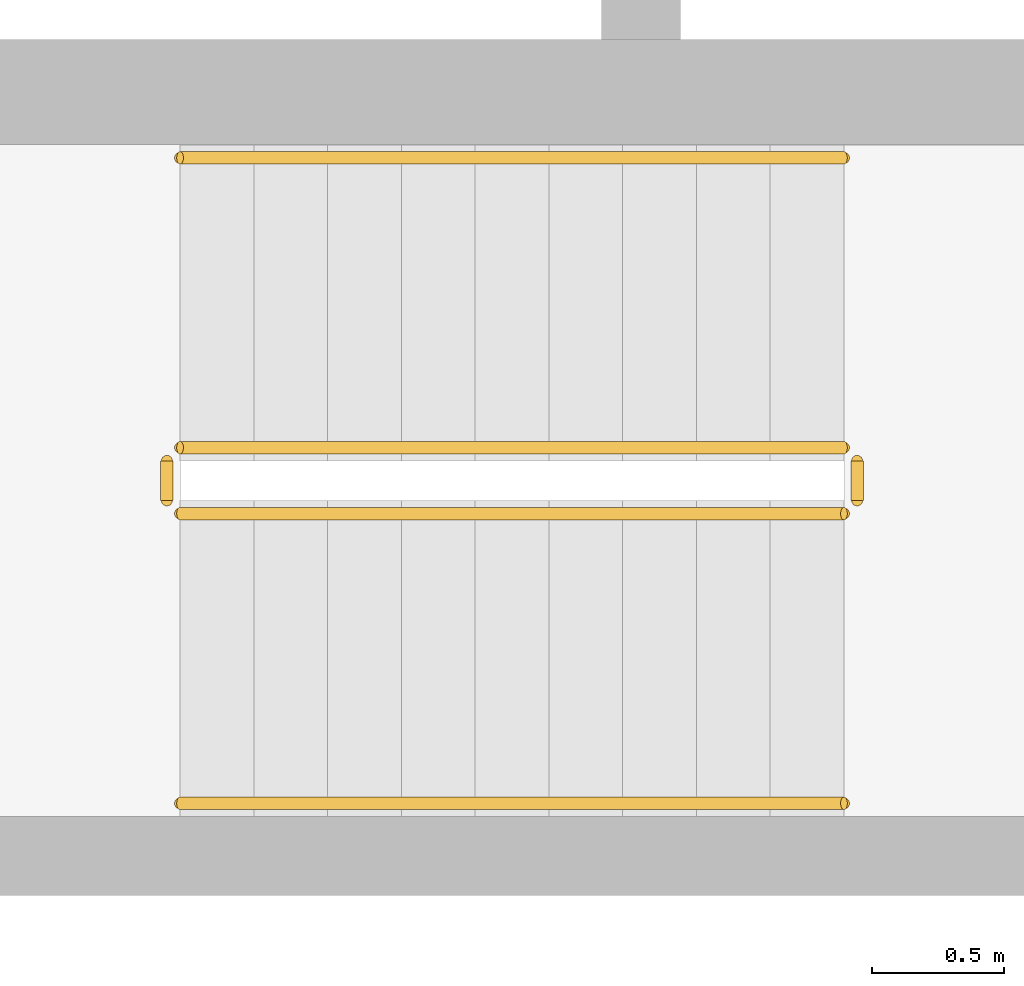
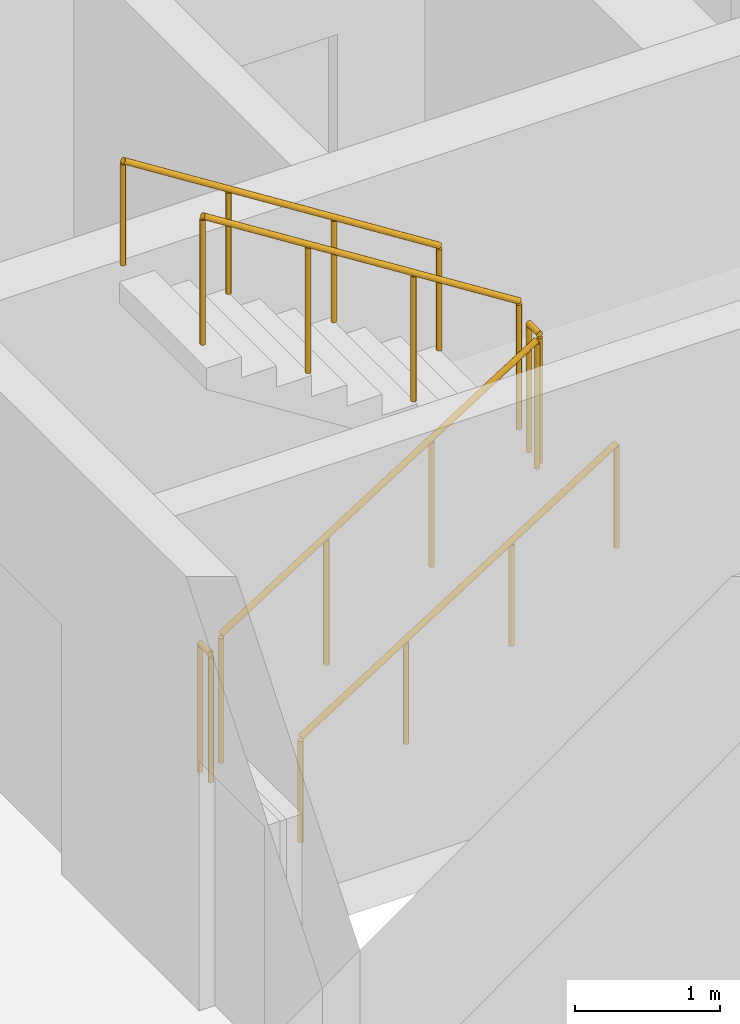
# One storey, part 14 of 16: 6 railings.
"""IFC4 building model written with IfcOpenShell, lengths in metres."""

from ifc_helpers import new_model, si_unit, direction, frame, origin, origin_2d, place, context, subcontext, project, spatial, circle, extrude, material, type_object, element, save


model = new_model("IFC4")

# Units and contexts
model_context = context("Model", 3, precision=1e-05, world=origin(), true_north=direction((0.0, 1.0)))
body_context = subcontext(model_context, "Body", "Model", "MODEL_VIEW")
ifc_project = project(units=[si_unit("LENGTHUNIT", "METRE"), si_unit("AREAUNIT", "SQUARE_METRE"), si_unit("VOLUMEUNIT", "CUBIC_METRE"), si_unit("PLANEANGLEUNIT", "RADIAN"), si_unit("MASSUNIT", "GRAM", prefix="KILO")], contexts=[model_context])

# Site, building, storey
site_placement = place(None, origin())
site = spatial("IfcSite", under=ifc_project, at=site_placement, CompositionType="ELEMENT")
building_placement = place(site_placement, origin())
building = spatial("IfcBuilding", under=site, at=building_placement, Name="Ostrand Prow Hotel Tower", CompositionType="ELEMENT")
storey_placement = place(building_placement, frame((0.0, 0.0, 227.89990234375)))
storey = spatial("IfcBuildingStorey", under=building, at=storey_placement, Name="L57", CompositionType="ELEMENT", Elevation=227.89990234375)

# Railings
ifc_material_1 = material(Name="Painted steel", Category="steel")
railing_type_1 = type_object("IfcRailingType", Name="Stair guard 1100", PredefinedType="GUARDRAIL", material=ifc_material_1)
railing_1_placement = place(storey_placement, frame((57.199951171875, -11.75, 0.177490234375)))
element("IfcRailing", 1, at=railing_1_placement, inside=storey, type_object=railing_type_1, Name="L57 ST2C stair guard 1", PredefinedType="GUARDRAIL", context=body_context, shape_type="SweptSolid", body=[
    extrude(circle(Radius=0.02392578125, at=origin_2d()), frame((0.0, 0.0, 1.076171875), z_axis=(0.84456994832, 0.0, 0.535445237532), x_axis=(0.0, 1.0, 0.0)), (0.0, 0.0, 1.0), 2.98388671875),
    extrude(circle(Radius=0.02099609375, at=origin_2d()), origin(), (0.0, 0.0, 1.0), 1.052001953125),
    extrude(circle(Radius=0.02099609375, at=origin_2d()), frame((0.840087890625, 0.0, 0.532470703125)), (0.0, 0.0, 1.0), 1.052001953125),
    extrude(circle(Radius=0.02099609375, at=origin_2d()), frame((1.679931640625, 0.0, 1.065185546875)), (0.0, 0.0, 1.0), 1.052001953125),
    extrude(circle(Radius=0.02099609375, at=origin_2d()), frame((2.52001953125, 0.0, 1.59765625)), (0.0, 0.0, 1.0), 1.052001953125),
])
railing_2_placement = place(storey_placement, frame((59.77001953125, -11.699951171875, 1.775146484375)))
element("IfcRailing", 2, at=railing_2_placement, inside=storey, type_object=railing_type_1, Name="L57 ST2C stair guard 2", PredefinedType="GUARDRAIL", context=body_context, shape_type="SweptSolid", body=[
    extrude(circle(Radius=0.02392578125, at=origin_2d()), frame((0.0, 0.0, 1.076171875), z_axis=(0.0, 1.0, 0.0), x_axis=(-1.0, 0.0, 0.0)), (0.0, 0.0, 1.0), 0.14990234375),
    extrude(circle(Radius=0.02099609375, at=origin_2d()), origin(), (0.0, 0.0, 1.0), 1.052001953125),
    extrude(circle(Radius=0.02099609375, at=origin_2d()), frame((0.0, 0.14990234375, 0.0)), (0.0, 0.0, 1.0), 1.052001953125),
])
railing_3_placement = place(storey_placement, frame((59.719970703125, -11.5, 1.95263671875)))
element("IfcRailing", 3, at=railing_3_placement, inside=storey, type_object=railing_type_1, Name="L57 ST2C stair guard 3", PredefinedType="GUARDRAIL", context=body_context, shape_type="SweptSolid", body=[
    extrude(circle(Radius=0.02392578125, at=origin_2d()), frame((0.0, 0.0, 1.076171875), z_axis=(-0.84460694969, 0.0, 0.535386869969), x_axis=(0.0, -1.0, 0.0)), (0.0, 0.0, 1.0), 2.983642578125),
    extrude(circle(Radius=0.02099609375, at=origin_2d()), origin(), (0.0, 0.0, 1.0), 1.052001953125),
    extrude(circle(Radius=0.02099609375, at=origin_2d()), frame((-0.840087890625, 0.0, 0.532470703125)), (0.0, 0.0, 1.0), 1.052001953125),
    extrude(circle(Radius=0.02099609375, at=origin_2d()), frame((-1.679931640625, 0.0, 1.06494140625)), (0.0, 0.0, 1.0), 1.052001953125),
    extrude(circle(Radius=0.02099609375, at=origin_2d()), frame((-2.52001953125, 0.0, 1.597412109375)), (0.0, 0.0, 1.0), 1.052001953125),
])
railing_4_placement = place(storey_placement, frame((57.14990234375, -11.699951171875, 0.0)))
element("IfcRailing", 4, at=railing_4_placement, inside=storey, type_object=railing_type_1, Name="L57 ST2C stair guard 4", PredefinedType="GUARDRAIL", context=body_context, shape_type="SweptSolid", body=[
    extrude(circle(Radius=0.02392578125, at=origin_2d()), frame((0.0, 0.0, 1.076171875), z_axis=(0.0, 1.0, 0.0), x_axis=(-1.0, 0.0, 0.0)), (0.0, 0.0, 1.0), 0.14990234375),
    extrude(circle(Radius=0.02099609375, at=origin_2d()), origin(), (0.0, 0.0, 1.0), 1.052001953125),
    extrude(circle(Radius=0.02099609375, at=origin_2d()), frame((0.0, 0.14990234375, 0.0)), (0.0, 0.0, 1.0), 1.052001953125),
])
ifc_material_2 = material(Name="Stainless steel", Category="steel")
railing_type_2 = type_object("IfcRailingType", Name="Stair handrail 900", PredefinedType="HANDRAIL", material=ifc_material_2)
railing_5_placement = place(storey_placement, frame((57.199951171875, -12.85009765625, 0.177490234375)))
element("IfcRailing", 5, at=railing_5_placement, inside=storey, type_object=railing_type_2, Name="L57 ST2C stair handrail 1", PredefinedType="HANDRAIL", context=body_context, shape_type="SweptSolid", body=[
    extrude(circle(Radius=0.02392578125, at=origin_2d()), frame((0.0, 0.0, 0.8759765625), z_axis=(0.84456994832, 0.0, 0.535445237532), x_axis=(0.0, 1.0, 0.0)), (0.0, 0.0, 1.0), 2.98388671875),
    extrude(circle(Radius=0.02099609375, at=origin_2d()), origin(), (0.0, 0.0, 1.0), 0.851806640625),
    extrude(circle(Radius=0.02099609375, at=origin_2d()), frame((0.840087890625, 0.0, 0.532470703125)), (0.0, 0.0, 1.0), 0.851806640625),
    extrude(circle(Radius=0.02099609375, at=origin_2d()), frame((1.679931640625, 0.0, 1.065185546875)), (0.0, 0.0, 1.0), 0.851806640625),
    extrude(circle(Radius=0.02099609375, at=origin_2d()), frame((2.52001953125, 0.0, 1.59765625)), (0.0, 0.0, 1.0), 0.851806640625),
])
railing_6_placement = place(storey_placement, frame((59.719970703125, -10.39990234375, 1.95263671875)))
element("IfcRailing", 6, at=railing_6_placement, inside=storey, type_object=railing_type_2, Name="L57 ST2C stair handrail 2", PredefinedType="HANDRAIL", context=body_context, shape_type="SweptSolid", body=[
    extrude(circle(Radius=0.02392578125, at=origin_2d()), frame((0.0, 0.0, 0.8759765625), z_axis=(-0.84460694969, 0.0, 0.535386869969), x_axis=(0.0, -1.0, 0.0)), (0.0, 0.0, 1.0), 2.983642578125),
    extrude(circle(Radius=0.02099609375, at=origin_2d()), origin(), (0.0, 0.0, 1.0), 0.851806640625),
    extrude(circle(Radius=0.02099609375, at=origin_2d()), frame((-0.840087890625, 0.0, 0.532470703125)), (0.0, 0.0, 1.0), 0.851806640625),
    extrude(circle(Radius=0.02099609375, at=origin_2d()), frame((-1.679931640625, 0.0, 1.06494140625)), (0.0, 0.0, 1.0), 0.851806640625),
    extrude(circle(Radius=0.02099609375, at=origin_2d()), frame((-2.52001953125, 0.0, 1.597412109375)), (0.0, 0.0, 1.0), 0.851806640625),
])

save(model, "model.ifc")
